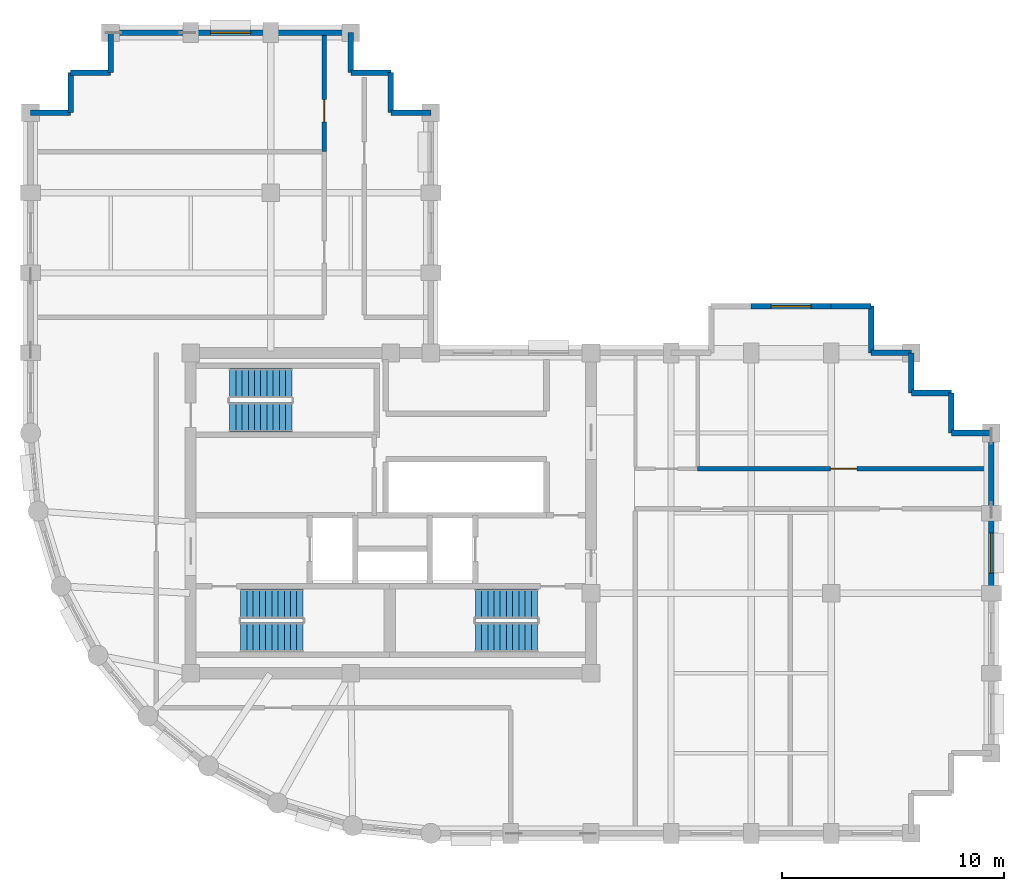
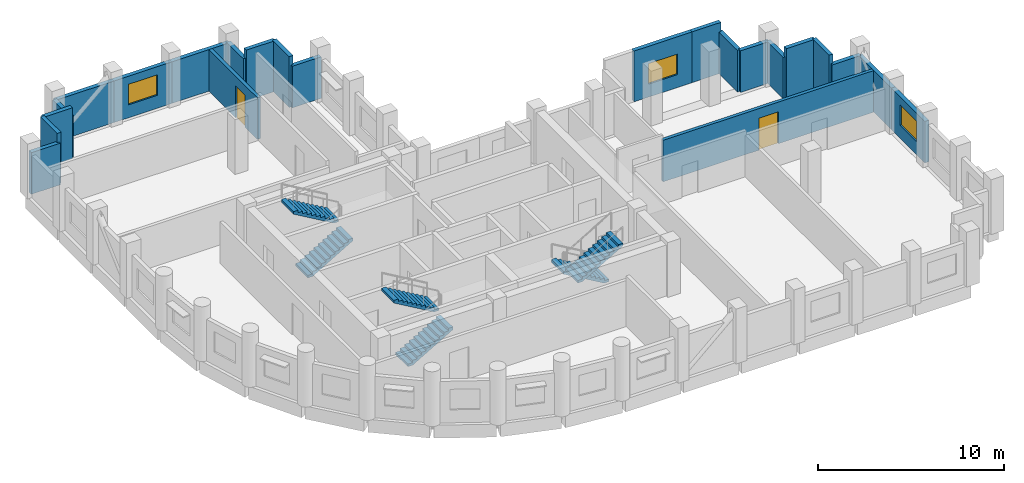
# One storey, part 5 of 7: 23 walls, 6 stair flights, 3 windows, 2 doors, 5 openings, 3 elements without a shape of their own.
"""IFC4 building model written with IfcOpenShell, lengths in metres."""

from ifc_helpers import new_model, si_unit, direction, frame, frame_2d, origin, place, context, subcontext, project, spatial, polyline, rectangle, outline, extrude, material, layer, layer_set, type_object, element, fill, aggregate, save


model = new_model("IFC4")

# Units and contexts
model_context = context("Model", 3, precision=1e-05, world=origin(), true_north=direction((0.0, 1.0)))
body_context = subcontext(model_context, "Body", "Model", "MODEL_VIEW")
ifc_project = project(units=[si_unit("LENGTHUNIT", "METRE"), si_unit("AREAUNIT", "SQUARE_METRE"), si_unit("VOLUMEUNIT", "CUBIC_METRE"), si_unit("PLANEANGLEUNIT", "RADIAN"), si_unit("MASSUNIT", "GRAM", prefix="KILO")], contexts=[model_context])

# Site, building, storey
site_placement = place(None, origin())
site = spatial("IfcSite", under=ifc_project, at=site_placement, CompositionType="ELEMENT")
building_placement = place(site_placement, origin())
building = spatial("IfcBuilding", under=site, at=building_placement, Name="Solnavia Interchange Tower", CompositionType="ELEMENT")
storey_placement = place(building_placement, frame((0.0, 0.0, 213.800048828125)))
storey = spatial("IfcBuildingStorey", under=building, at=storey_placement, Name="L53", CompositionType="ELEMENT", Elevation=213.800048828125)

# Wall, opening, window
ifc_material_1 = material(Name="Concrete C40/50", Category="concrete")
ifc_layer_1 = layer(ifc_material_1, 0.25)
ifc_layer_set_1 = layer_set([ifc_layer_1], Name="Concrete C40/50")
wall_type_1 = type_object("IfcWallType", Name="Wall-ExtSpandrel-250", PredefinedType="STANDARD", material=ifc_layer_set_1)
wall_1_placement = place(storey_placement, frame((50.39990234375, 18.0, 0.0), z_axis=(0.0, 0.0, 1.0), x_axis=(0.0, -1.0, 0.0)))
wall_1 = element("IfcWall", 1, at=wall_1_placement, inside=storey, type_object=wall_type_1, Name="EXW-L53-13 Exterior precast spandrel wall", PredefinedType="STANDARD", context=body_context, shape_type="SweptSolid", body=[
    extrude(rectangle(XDim=3.60009765625, YDim=0.25, at=frame_2d((1.800048828125, 0.0))), origin(), (0.0, 0.0, 1.0), 2.72998046875),
])
opening_1_placement = place(wall_1_placement, frame((0.89990234375, 0.0, 0.85009765625)))
opening_1 = element("IfcOpeningElement", 2, at=opening_1_placement, cuts=wall_1, Name="Opening WIN-02", PredefinedType="OPENING", context=body_context, shape_type="SweptSolid", body=[
    extrude(rectangle(XDim=1.800048828125, YDim=1.35009765625, at=frame_2d((0.89990234375, 0.675048828125))), frame((0.0, 0.135009765625, 0.0), z_axis=(0.0, -1.0, 0.0), x_axis=(1.0, 0.0, 0.0)), (0.0, 0.0, 1.0), 0.27001953125),
])
ifc_material_2 = material(Name="Thermal-Break Aluminium & Low-E Glass", Category="aluminium")
window_type = type_object("IfcWindowType", Name="Window-Ribbon-1800x1350", PartitioningType="SINGLE_PANEL", PredefinedType="WINDOW", material=ifc_material_2)
window_1_placement = place(opening_1_placement, origin())
window_1 = element("IfcWindow", 3, at=window_1_placement, inside=storey, type_object=window_type, Name="WIN-L53-13 Facade ribbon window", OverallHeight=1.35009765625, OverallWidth=1.800048828125, PartitioningType="SINGLE_PANEL", PredefinedType="WINDOW", context=body_context, shape_type="SweptSolid", body=[
    extrude(rectangle(XDim=1.800048828125, YDim=1.35009765625, at=frame_2d((0.89990234375, 0.675048828125))), frame((0.0, 0.030029296875, 0.0), z_axis=(0.0, -1.0, 0.0), x_axis=(1.0, 0.0, 0.0)), (0.0, 0.0, 1.0), 0.06005859375),
])
fill(opening_1, window_1)

# Walls
wall_2_placement = place(storey_placement, frame((50.39990234375, 21.60009765625, 0.0), z_axis=(0.0, 0.0, 1.0), x_axis=(0.0, -1.0, 0.0)))
element("IfcWall", 4, at=wall_2_placement, inside=storey, type_object=wall_type_1, Name="EXW-L53-14 Exterior precast spandrel wall", PredefinedType="STANDARD", context=body_context, shape_type="SweptSolid", body=[
    extrude(rectangle(XDim=3.60009765625, YDim=0.25, at=frame_2d((1.800048828125, 0.0))), origin(), (0.0, 0.0, 1.0), 2.72998046875),
])
wall_3_placement = place(storey_placement, frame((48.60009765625, 21.60009765625, 0.0), z_axis=(0.0, 0.0, 1.0), x_axis=(1.0, 0.0, 0.0)))
element("IfcWall", 5, at=wall_3_placement, inside=storey, type_object=wall_type_1, Name="EXW-L53-15 Exterior precast spandrel wall", PredefinedType="STANDARD", context=body_context, shape_type="SweptSolid", body=[
    extrude(rectangle(XDim=1.7998046875, YDim=0.25, at=frame_2d((0.89990234375, 0.0))), origin(), (0.0, 0.0, 1.0), 2.72998046875),
])
wall_4_placement = place(storey_placement, frame((48.60009765625, 23.39990234375, 0.0), z_axis=(0.0, 0.0, 1.0), x_axis=(0.0, -1.0, 0.0)))
element("IfcWall", 6, at=wall_4_placement, inside=storey, type_object=wall_type_1, Name="EXW-L53-16 Exterior precast spandrel wall", PredefinedType="STANDARD", context=body_context, shape_type="SweptSolid", body=[
    extrude(rectangle(XDim=1.7998046875, YDim=0.25, at=frame_2d((0.89990234375, 0.0))), origin(), (0.0, 0.0, 1.0), 3.3349609375),
])
wall_5_placement = place(storey_placement, frame((46.800048828125, 23.39990234375, 0.0), z_axis=(0.0, 0.0, 1.0), x_axis=(1.0, 0.0, 0.0)))
element("IfcWall", 7, at=wall_5_placement, inside=storey, type_object=wall_type_1, Name="EXW-L53-17 Exterior precast spandrel wall", PredefinedType="STANDARD", context=body_context, shape_type="SweptSolid", body=[
    extrude(rectangle(XDim=1.800048828125, YDim=0.25, at=frame_2d((0.89990234375, 0.0))), origin(), (0.0, 0.0, 1.0), 3.3349609375),
])
for number, where, z_axis, x_axis, name in (
    (8, (46.800048828125, 25.199951171875, 0.0), (0.0, 0.0, 1.0), (0.0, -1.0, 0.0), "EXW-L53-18 Exterior precast spandrel wall"),
    (9, (45.0, 25.199951171875, 0.0), (0.0, 0.0, 1.0), (1.0, 0.0, 0.0), "EXW-L53-19 Exterior precast spandrel wall"),
):
    element("IfcWall", number, at=place(storey_placement, frame(where, z_axis=z_axis, x_axis=x_axis)), inside=storey, type_object=wall_type_1, Name=name, PredefinedType="STANDARD", context=body_context, shape_type="SweptSolid", body=[
        extrude(rectangle(XDim=1.800048828125, YDim=0.25, at=frame_2d((0.89990234375, 0.0))), origin(), (0.0, 0.0, 1.0), 2.72998046875),
    ])
wall_6_placement = place(storey_placement, frame((45.0, 27.300048828125, 0.0), z_axis=(0.0, 0.0, 1.0), x_axis=(0.0, -1.0, 0.0)))
element("IfcWall", 10, at=wall_6_placement, inside=storey, type_object=wall_type_1, Name="EXW-L53-20 Exterior precast spandrel wall", PredefinedType="STANDARD", context=body_context, shape_type="SweptSolid", body=[
    extrude(rectangle(XDim=2.10009765625, YDim=0.25, at=frame_2d((1.050048828125, 0.0))), origin(), (0.0, 0.0, 1.0), 2.72998046875),
])
wall_7_placement = place(storey_placement, frame((43.199951171875, 27.300048828125, 0.0), z_axis=(0.0, 0.0, 1.0), x_axis=(1.0, 0.0, 0.0)))
element("IfcWall", 11, at=wall_7_placement, inside=storey, type_object=wall_type_1, Name="EXW-L53-21 Exterior precast spandrel wall", PredefinedType="STANDARD", context=body_context, shape_type="SweptSolid", body=[
    extrude(rectangle(XDim=1.800048828125, YDim=0.25, at=frame_2d((0.89990234375, 0.0))), origin(), (0.0, 0.0, 1.0), 3.3349609375),
])

# Wall, opening, window
wall_8_placement = place(storey_placement, frame((39.60009765625, 27.300048828125, 0.0), z_axis=(0.0, 0.0, 1.0), x_axis=(1.0, 0.0, 0.0)))
wall_8 = element("IfcWall", 12, at=wall_8_placement, inside=storey, type_object=wall_type_1, Name="EXW-L53-22 Exterior precast spandrel wall", PredefinedType="STANDARD", context=body_context, shape_type="SweptSolid", body=[
    extrude(rectangle(XDim=3.599853515625, YDim=0.25, at=frame_2d((1.7998046875, 0.0))), origin(), (0.0, 0.0, 1.0), 3.3349609375),
])
opening_2_placement = place(wall_8_placement, frame((0.89990234375, 0.0, 0.85009765625)))
opening_2 = element("IfcOpeningElement", 13, at=opening_2_placement, cuts=wall_8, Name="Opening WIN-02", PredefinedType="OPENING", context=body_context, shape_type="SweptSolid", body=[
    extrude(rectangle(XDim=1.800048828125, YDim=1.35009765625, at=frame_2d((0.89990234375, 0.675048828125))), frame((0.0, 0.135009765625, 0.0), z_axis=(0.0, -1.0, 0.0), x_axis=(1.0, 0.0, 0.0)), (0.0, 0.0, 1.0), 0.27001953125),
])
window_2_placement = place(opening_2_placement, origin())
window_2 = element("IfcWindow", 14, at=window_2_placement, inside=storey, type_object=window_type, Name="WIN-L53-22 Facade ribbon window", OverallHeight=1.35009765625, OverallWidth=1.800048828125, PartitioningType="SINGLE_PANEL", PredefinedType="WINDOW", context=body_context, shape_type="SweptSolid", body=[
    extrude(rectangle(XDim=1.800048828125, YDim=1.35009765625, at=frame_2d((0.89990234375, 0.675048828125))), frame((0.0, 0.030029296875, 0.0), z_axis=(0.0, -1.0, 0.0), x_axis=(1.0, 0.0, 0.0)), (0.0, 0.0, 1.0), 0.06005859375),
])
fill(opening_2, window_2)

# Walls
wall_9_placement = place(storey_placement, frame((23.39990234375, 36.0, 0.0), z_axis=(0.0, 0.0, 1.0), x_axis=(1.0, 0.0, 0.0)))
element("IfcWall", 15, at=wall_9_placement, inside=storey, type_object=wall_type_1, Name="EXW-L53-32 Exterior precast spandrel wall", PredefinedType="STANDARD", context=body_context, shape_type="SweptSolid", body=[
    extrude(rectangle(XDim=1.800048828125, YDim=0.25, at=frame_2d((0.89990234375, 0.0))), origin(), (0.0, 0.0, 1.0), 2.72998046875),
])
wall_10_placement = place(storey_placement, frame((23.39990234375, 36.0, 0.0), z_axis=(0.0, 0.0, 1.0), x_axis=(0.0, 1.0, 0.0)))
element("IfcWall", 16, at=wall_10_placement, inside=storey, type_object=wall_type_1, Name="EXW-L53-33 Exterior precast spandrel wall", PredefinedType="STANDARD", context=body_context, shape_type="SweptSolid", body=[
    extrude(rectangle(XDim=1.800048828125, YDim=0.25, at=frame_2d((0.89990234375, 0.0))), origin(), (0.0, 0.0, 1.0), 3.3349609375),
])
wall_11_placement = place(storey_placement, frame((21.60009765625, 37.800048828125, 0.0), z_axis=(0.0, 0.0, 1.0), x_axis=(1.0, 0.0, 0.0)))
element("IfcWall", 17, at=wall_11_placement, inside=storey, type_object=wall_type_1, Name="EXW-L53-34 Exterior precast spandrel wall", PredefinedType="STANDARD", context=body_context, shape_type="SweptSolid", body=[
    extrude(rectangle(XDim=1.7998046875, YDim=0.25, at=frame_2d((0.89990234375, 0.0))), origin(), (0.0, 0.0, 1.0), 3.3349609375),
])
wall_12_placement = place(storey_placement, frame((21.60009765625, 37.800048828125, 0.0), z_axis=(0.0, 0.0, 1.0), x_axis=(0.0, 1.0, 0.0)))
element("IfcWall", 18, at=wall_12_placement, inside=storey, type_object=wall_type_1, Name="EXW-L53-35 Exterior precast spandrel wall", PredefinedType="STANDARD", context=body_context, shape_type="SweptSolid", body=[
    extrude(rectangle(XDim=1.800048828125, YDim=0.25, at=frame_2d((0.89990234375, 0.0))), origin(), (0.0, 0.0, 1.0), 2.72998046875),
])
wall_13_placement = place(storey_placement, frame((18.0, 39.60009765625, 0.0), z_axis=(0.0, 0.0, 1.0), x_axis=(1.0, 0.0, 0.0)))
element("IfcWall", 19, at=wall_13_placement, inside=storey, type_object=wall_type_1, Name="EXW-L53-36 Exterior precast spandrel wall", PredefinedType="STANDARD", context=body_context, shape_type="SweptSolid", body=[
    extrude(rectangle(XDim=3.60009765625, YDim=0.25, at=frame_2d((1.800048828125, 0.0))), origin(), (0.0, 0.0, 1.0), 2.72998046875),
])

# Wall, opening, window
wall_14_placement = place(storey_placement, frame((14.39990234375, 39.60009765625, 0.0), z_axis=(0.0, 0.0, 1.0), x_axis=(1.0, 0.0, 0.0)))
wall_14 = element("IfcWall", 20, at=wall_14_placement, inside=storey, type_object=wall_type_1, Name="EXW-L53-37 Exterior precast spandrel wall", PredefinedType="STANDARD", context=body_context, shape_type="SweptSolid", body=[
    extrude(rectangle(XDim=3.60009765625, YDim=0.25, at=frame_2d((1.800048828125, 0.0))), origin(), (0.0, 0.0, 1.0), 2.72998046875),
])
opening_3_placement = place(wall_14_placement, frame((0.89990234375, 0.0, 0.85009765625)))
opening_3 = element("IfcOpeningElement", 21, at=opening_3_placement, cuts=wall_14, Name="Opening WIN-02", PredefinedType="OPENING", context=body_context, shape_type="SweptSolid", body=[
    extrude(rectangle(XDim=1.800048828125, YDim=1.35009765625, at=frame_2d((0.89990234375, 0.675048828125))), frame((0.0, 0.135009765625, 0.0), z_axis=(0.0, -1.0, 0.0), x_axis=(1.0, 0.0, 0.0)), (0.0, 0.0, 1.0), 0.27001953125),
])
window_3_placement = place(opening_3_placement, origin())
window_3 = element("IfcWindow", 22, at=window_3_placement, inside=storey, type_object=window_type, Name="WIN-L53-37 Facade ribbon window", OverallHeight=1.35009765625, OverallWidth=1.800048828125, PartitioningType="SINGLE_PANEL", PredefinedType="WINDOW", context=body_context, shape_type="SweptSolid", body=[
    extrude(rectangle(XDim=1.800048828125, YDim=1.35009765625, at=frame_2d((0.89990234375, 0.675048828125))), frame((0.0, 0.030029296875, 0.0), z_axis=(0.0, -1.0, 0.0), x_axis=(1.0, 0.0, 0.0)), (0.0, 0.0, 1.0), 0.06005859375),
])
fill(opening_3, window_3)

# Walls
wall_15_placement = place(storey_placement, frame((10.800048828125, 39.60009765625, 0.0), z_axis=(0.0, 0.0, 1.0), x_axis=(1.0, 0.0, 0.0)))
element("IfcWall", 23, at=wall_15_placement, inside=storey, type_object=wall_type_1, Name="EXW-L53-38 Exterior precast spandrel wall", PredefinedType="STANDARD", context=body_context, shape_type="SweptSolid", body=[
    extrude(rectangle(XDim=3.599853515625, YDim=0.25, at=frame_2d((1.7998046875, 0.0))), origin(), (0.0, 0.0, 1.0), 2.72998046875),
])
wall_16_placement = place(storey_placement, frame((10.800048828125, 37.800048828125, 0.0), z_axis=(0.0, 0.0, 1.0), x_axis=(0.0, 1.0, 0.0)))
element("IfcWall", 24, at=wall_16_placement, inside=storey, type_object=wall_type_1, Name="EXW-L53-39 Exterior precast spandrel wall", PredefinedType="STANDARD", context=body_context, shape_type="SweptSolid", body=[
    extrude(rectangle(XDim=1.800048828125, YDim=0.25, at=frame_2d((0.89990234375, 0.0))), origin(), (0.0, 0.0, 1.0), 2.72998046875),
])
for number, where, z_axis, x_axis, name in (
    (25, (9.0, 37.800048828125, 0.0), (0.0, 0.0, 1.0), (1.0, 0.0, 0.0), "EXW-L53-40 Exterior precast spandrel wall"),
    (26, (9.0, 36.0, 0.0), (0.0, 0.0, 1.0), (0.0, 1.0, 0.0), "EXW-L53-41 Exterior precast spandrel wall"),
):
    element("IfcWall", number, at=place(storey_placement, frame(where, z_axis=z_axis, x_axis=x_axis)), inside=storey, type_object=wall_type_1, Name=name, PredefinedType="STANDARD", context=body_context, shape_type="SweptSolid", body=[
        extrude(rectangle(XDim=1.800048828125, YDim=0.25, at=frame_2d((0.89990234375, 0.0))), origin(), (0.0, 0.0, 1.0), 3.3349609375),
    ])
wall_17_placement = place(storey_placement, frame((7.199951171875, 36.0, 0.0), z_axis=(0.0, 0.0, 1.0), x_axis=(1.0, 0.0, 0.0)))
element("IfcWall", 27, at=wall_17_placement, inside=storey, type_object=wall_type_1, Name="EXW-L53-42 Exterior precast spandrel wall", PredefinedType="STANDARD", context=body_context, shape_type="SweptSolid", body=[
    extrude(rectangle(XDim=1.800048828125, YDim=0.25, at=frame_2d((0.89990234375, 0.0))), origin(), (0.0, 0.0, 1.0), 2.72998046875),
])

# Wall, opening, door
ifc_layer_2 = layer(ifc_material_1, 0.199951171875)
ifc_layer_set_2 = layer_set([ifc_layer_2], Name="Concrete C40/50")
wall_type_2 = type_object("IfcWallType", Name="Wall-PlantFire-200", PredefinedType="PARTITIONING", material=ifc_layer_set_2)
wall_18_placement = place(storey_placement, frame((37.199951171875, 20.0, 0.0), z_axis=(0.0, 0.0, 1.0), x_axis=(1.0, 0.0, 0.0)))
wall_18 = element("IfcWall", 28, at=wall_18_placement, inside=storey, type_object=wall_type_2, Name="PTW-L53-10 Interior partition wall", PredefinedType="PARTITIONING", context=body_context, shape_type="SweptSolid", body=[
    extrude(rectangle(XDim=13.071044921875, YDim=0.199951171875, at=frame_2d((6.53564453125, 0.0))), origin(), (0.0, 0.0, 1.0), 2.72998046875),
])
opening_4_placement = place(wall_18_placement, frame((5.9599609375, 0.0, 0.0)))
opening_4 = element("IfcOpeningElement", 29, at=opening_4_placement, cuts=wall_18, Name="Opening DR-02", PredefinedType="OPENING", context=body_context, shape_type="SweptSolid", body=[
    extrude(rectangle(XDim=1.199951171875, YDim=2.10009765625, at=frame_2d((0.60009765625, 1.050048828125))), frame((0.0, 0.10986328125, 0.0), z_axis=(0.0, -1.0, 0.0), x_axis=(1.0, 0.0, 0.0)), (0.0, 0.0, 1.0), 0.219970703125),
])
ifc_material_3 = material(Name="Steel Fire-Rated Vision-Panel Door", Category="steel")
door_type_1 = type_object("IfcDoorType", Name="Door-LobbyFire-1200x2100", OperationType="SINGLE_SWING_RIGHT", PredefinedType="DOOR", material=ifc_material_3)
door_1_placement = place(opening_4_placement, origin())
door_1 = element("IfcDoor", 30, at=door_1_placement, inside=storey, type_object=door_type_1, Name="DR-L53-06 Interior room door", OperationType="SINGLE_SWING_RIGHT", OverallHeight=2.10009765625, OverallWidth=1.199951171875, PredefinedType="DOOR", context=body_context, shape_type="SweptSolid", body=[
    extrude(rectangle(XDim=1.199951171875, YDim=2.10009765625, at=frame_2d((0.60009765625, 1.050048828125))), frame((0.0, 0.02490234375, 0.0), z_axis=(0.0, -1.0, 0.0), x_axis=(1.0, 0.0, 0.0)), (0.0, 0.0, 1.0), 0.050048828125),
])
fill(opening_4, door_1)

wall_19_placement = place(storey_placement, frame((20.39990234375, 34.25, 0.0), z_axis=(0.0, 0.0, 1.0), x_axis=(0.0, 1.0, 0.0)))
wall_19 = element("IfcWall", 31, at=wall_19_placement, inside=storey, type_object=wall_type_2, Name="PTW-L53-16 Interior partition wall", PredefinedType="PARTITIONING", context=body_context, shape_type="SweptSolid", body=[
    extrude(rectangle(XDim=5.220947265625, YDim=0.199951171875, at=frame_2d((2.6103515625, 0.0))), origin(), (0.0, 0.0, 1.0), 2.72998046875),
])
opening_5_placement = place(wall_19_placement, frame((1.3369140625, 0.0, 0.0)))
opening_5 = element("IfcOpeningElement", 32, at=opening_5_placement, cuts=wall_19, Name="Opening DR-04", PredefinedType="OPENING", context=body_context, shape_type="SweptSolid", body=[
    extrude(rectangle(XDim=1.0, YDim=2.10009765625, at=frame_2d((0.5, 1.050048828125))), frame((0.0, 0.10986328125, 0.0), z_axis=(0.0, -1.0, 0.0), x_axis=(1.0, 0.0, 0.0)), (0.0, 0.0, 1.0), 0.219970703125),
])
ifc_material_4 = material(Name="Steel Fire-Rated Plant Door", Category="steel")
door_type_2 = type_object("IfcDoorType", Name="Door-PlantFire-1000x2100", OperationType="SINGLE_SWING_LEFT", PredefinedType="DOOR", material=ifc_material_4)
door_2_placement = place(opening_5_placement, origin())
door_2 = element("IfcDoor", 33, at=door_2_placement, inside=storey, type_object=door_type_2, Name="DR-L53-08 Interior room door", OperationType="SINGLE_SWING_RIGHT", OverallHeight=2.10009765625, OverallWidth=1.0, PredefinedType="DOOR", context=body_context, shape_type="SweptSolid", body=[
    extrude(rectangle(XDim=1.0, YDim=2.10009765625, at=frame_2d((0.5, 1.050048828125))), frame((0.0, 0.02490234375, 0.0), z_axis=(0.0, -1.0, 0.0), x_axis=(1.0, 0.0, 0.0)), (0.0, 0.0, 1.0), 0.050048828125),
])
fill(opening_5, door_2)

# Stair, stair flights
stair_type = type_object("IfcStairType", Name="Stair-Dogleg-RC", PredefinedType="HALF_TURN_STAIR", material=ifc_material_1)
stair_1_placement = place(storey_placement, origin())
stair_1 = element("IfcStair", 34, at=stair_1_placement, inside=storey, type_object=stair_type, Name="L53 Core exit stair 1", PredefinedType="HALF_TURN_STAIR")
stair_flight_type = type_object("IfcStairFlightType", Name="StairFlight-RC-150", PredefinedType="STRAIGHT", material=ifc_material_1)
stair_flight_1_placement = place(storey_placement, frame((16.64990234375, 12.409912109375, 0.0), z_axis=(0.0, 0.0, 1.0), x_axis=(1.0, 0.0, 0.0)))
stair_flight_1 = element("IfcStairFlight", 35, at=stair_flight_1_placement, type_object=stair_flight_type, Name="ST-1 flight 1", NumberOfRisers=11, NumberOfTreads=10, PredefinedType="STRAIGHT", RiserHeight=0.163636364, TreadLength=0.28, context=body_context, shape_type="SweptSolid", body=[
    extrude(outline(polyline([(0.0, 0.0), (0.0, 0.16357421875), (0.280029296875, 0.16357421875), (0.280029296875, 0.327392578125), (0.56005859375, 0.327392578125), (0.56005859375, 0.490966796875), (0.840087890625, 0.490966796875), (0.840087890625, 0.654541015625), (1.1201171875, 0.654541015625), (1.1201171875, 0.818115234375), (1.39990234375, 0.818115234375), (1.39990234375, 0.98193359375), (1.679931640625, 0.98193359375), (1.679931640625, 1.1455078125), (1.9599609375, 1.1455078125), (1.9599609375, 1.30908203125), (2.239990234375, 1.30908203125), (2.239990234375, 1.47265625), (2.52001953125, 1.47265625), (2.52001953125, 1.636474609375), (2.800048828125, 1.636474609375), (2.800048828125, 1.800048828125), (2.800048828125, 1.462646484375), (0.297119140625, 0.0), (0.0, 0.0)])), frame((0.0, 0.66015625, 0.0), z_axis=(0.0, -1.0, 0.0), x_axis=(1.0, 0.0, 0.0)), (0.0, 0.0, 1.0), 1.320068359375),
])
stair_flight_2_placement = place(storey_placement, frame((19.449951171875, 13.929931640625, 1.800048828125), z_axis=(0.0, 0.0, 1.0), x_axis=(-1.0, 0.0, 0.0)))
stair_flight_2 = element("IfcStairFlight", 36, at=stair_flight_2_placement, type_object=stair_flight_type, Name="ST-1 flight 2", NumberOfRisers=11, NumberOfTreads=10, PredefinedType="STRAIGHT", RiserHeight=0.163636364, TreadLength=0.28, context=body_context, shape_type="SweptSolid", body=[
    extrude(outline(polyline([(0.0, 0.0), (0.0, 0.16357421875), (0.280029296875, 0.16357421875), (0.280029296875, 0.327392578125), (0.56005859375, 0.327392578125), (0.56005859375, 0.490966796875), (0.840087890625, 0.490966796875), (0.840087890625, 0.654541015625), (1.1201171875, 0.654541015625), (1.1201171875, 0.818115234375), (1.39990234375, 0.818115234375), (1.39990234375, 0.98193359375), (1.679931640625, 0.98193359375), (1.679931640625, 1.1455078125), (1.9599609375, 1.1455078125), (1.9599609375, 1.30908203125), (2.239990234375, 1.30908203125), (2.239990234375, 1.47265625), (2.52001953125, 1.47265625), (2.52001953125, 1.636474609375), (2.800048828125, 1.636474609375), (2.800048828125, 1.800048828125), (2.800048828125, 1.462646484375), (0.297119140625, 0.0), (0.0, 0.0)])), frame((0.0, 0.66015625, 0.0), z_axis=(0.0, -1.0, 0.0), x_axis=(1.0, 0.0, 0.0)), (0.0, 0.0, 1.0), 1.320068359375),
])
aggregate(stair_1, [stair_flight_1, stair_flight_2])

stair_2_placement = place(storey_placement, origin())
stair_2 = element("IfcStair", 37, at=stair_2_placement, inside=storey, type_object=stair_type, Name="L53 Core exit stair 2", PredefinedType="HALF_TURN_STAIR")
stair_flight_3_placement = place(storey_placement, frame((30.0, 13.929931640625, 0.0), z_axis=(0.0, 0.0, 1.0), x_axis=(-1.0, 0.0, 0.0)))
stair_flight_3 = element("IfcStairFlight", 38, at=stair_flight_3_placement, type_object=stair_flight_type, Name="ST-2 flight 1", NumberOfRisers=11, NumberOfTreads=10, PredefinedType="STRAIGHT", RiserHeight=0.163636364, TreadLength=0.28, context=body_context, shape_type="SweptSolid", body=[
    extrude(outline(polyline([(0.0, 0.0), (0.0, 0.16357421875), (0.280029296875, 0.16357421875), (0.280029296875, 0.327392578125), (0.56005859375, 0.327392578125), (0.56005859375, 0.490966796875), (0.840087890625, 0.490966796875), (0.840087890625, 0.654541015625), (1.1201171875, 0.654541015625), (1.1201171875, 0.818115234375), (1.39990234375, 0.818115234375), (1.39990234375, 0.98193359375), (1.679931640625, 0.98193359375), (1.679931640625, 1.1455078125), (1.9599609375, 1.1455078125), (1.9599609375, 1.30908203125), (2.239990234375, 1.30908203125), (2.239990234375, 1.47265625), (2.52001953125, 1.47265625), (2.52001953125, 1.636474609375), (2.800048828125, 1.636474609375), (2.800048828125, 1.800048828125), (2.800048828125, 1.462646484375), (0.297119140625, 0.0), (0.0, 0.0)])), frame((0.0, 0.66015625, 0.0), z_axis=(0.0, -1.0, 0.0), x_axis=(1.0, 0.0, 0.0)), (0.0, 0.0, 1.0), 1.320068359375),
])
stair_flight_4_placement = place(storey_placement, frame((27.199951171875, 12.409912109375, 1.800048828125), z_axis=(0.0, 0.0, 1.0), x_axis=(1.0, 0.0, 0.0)))
stair_flight_4 = element("IfcStairFlight", 39, at=stair_flight_4_placement, type_object=stair_flight_type, Name="ST-2 flight 2", NumberOfRisers=11, NumberOfTreads=10, PredefinedType="STRAIGHT", RiserHeight=0.163636364, TreadLength=0.28, context=body_context, shape_type="SweptSolid", body=[
    extrude(outline(polyline([(0.0, 0.0), (0.0, 0.16357421875), (0.280029296875, 0.16357421875), (0.280029296875, 0.327392578125), (0.56005859375, 0.327392578125), (0.56005859375, 0.490966796875), (0.840087890625, 0.490966796875), (0.840087890625, 0.654541015625), (1.1201171875, 0.654541015625), (1.1201171875, 0.818115234375), (1.39990234375, 0.818115234375), (1.39990234375, 0.98193359375), (1.679931640625, 0.98193359375), (1.679931640625, 1.1455078125), (1.9599609375, 1.1455078125), (1.9599609375, 1.30908203125), (2.239990234375, 1.30908203125), (2.239990234375, 1.47265625), (2.52001953125, 1.47265625), (2.52001953125, 1.636474609375), (2.800048828125, 1.636474609375), (2.800048828125, 1.800048828125), (2.800048828125, 1.462646484375), (0.297119140625, 0.0), (0.0, 0.0)])), frame((0.0, 0.66015625, 0.0), z_axis=(0.0, -1.0, 0.0), x_axis=(1.0, 0.0, 0.0)), (0.0, 0.0, 1.0), 1.320068359375),
])
aggregate(stair_2, [stair_flight_3, stair_flight_4])

stair_3_placement = place(storey_placement, origin())
stair_3 = element("IfcStair", 40, at=stair_3_placement, inside=storey, type_object=stair_type, Name="L53 Core exit stair 3", PredefinedType="HALF_TURN_STAIR")
stair_flight_5_placement = place(storey_placement, frame((16.14990234375, 22.31005859375, 0.0), z_axis=(0.0, 0.0, 1.0), x_axis=(1.0, 0.0, 0.0)))
stair_flight_5 = element("IfcStairFlight", 41, at=stair_flight_5_placement, type_object=stair_flight_type, Name="ST-3 flight 1", NumberOfRisers=11, NumberOfTreads=10, PredefinedType="STRAIGHT", RiserHeight=0.163636364, TreadLength=0.28, context=body_context, shape_type="SweptSolid", body=[
    extrude(outline(polyline([(0.0, 0.0), (0.0, 0.16357421875), (0.280029296875, 0.16357421875), (0.280029296875, 0.327392578125), (0.56005859375, 0.327392578125), (0.56005859375, 0.490966796875), (0.840087890625, 0.490966796875), (0.840087890625, 0.654541015625), (1.1201171875, 0.654541015625), (1.1201171875, 0.818115234375), (1.39990234375, 0.818115234375), (1.39990234375, 0.98193359375), (1.679931640625, 0.98193359375), (1.679931640625, 1.1455078125), (1.9599609375, 1.1455078125), (1.9599609375, 1.30908203125), (2.239990234375, 1.30908203125), (2.239990234375, 1.47265625), (2.52001953125, 1.47265625), (2.52001953125, 1.636474609375), (2.800048828125, 1.636474609375), (2.800048828125, 1.800048828125), (2.800048828125, 1.462646484375), (0.297119140625, 0.0), (0.0, 0.0)])), frame((0.0, 0.66015625, 0.0), z_axis=(0.0, -1.0, 0.0), x_axis=(1.0, 0.0, 0.0)), (0.0, 0.0, 1.0), 1.320068359375),
])
stair_flight_6_placement = place(storey_placement, frame((18.949951171875, 23.830078125, 1.800048828125), z_axis=(0.0, 0.0, 1.0), x_axis=(-1.0, 0.0, 0.0)))
stair_flight_6 = element("IfcStairFlight", 42, at=stair_flight_6_placement, type_object=stair_flight_type, Name="ST-3 flight 2", NumberOfRisers=11, NumberOfTreads=10, PredefinedType="STRAIGHT", RiserHeight=0.163636364, TreadLength=0.28, context=body_context, shape_type="SweptSolid", body=[
    extrude(outline(polyline([(0.0, 0.0), (0.0, 0.16357421875), (0.280029296875, 0.16357421875), (0.280029296875, 0.327392578125), (0.56005859375, 0.327392578125), (0.56005859375, 0.490966796875), (0.840087890625, 0.490966796875), (0.840087890625, 0.654541015625), (1.1201171875, 0.654541015625), (1.1201171875, 0.818115234375), (1.39990234375, 0.818115234375), (1.39990234375, 0.98193359375), (1.679931640625, 0.98193359375), (1.679931640625, 1.1455078125), (1.9599609375, 1.1455078125), (1.9599609375, 1.30908203125), (2.239990234375, 1.30908203125), (2.239990234375, 1.47265625), (2.52001953125, 1.47265625), (2.52001953125, 1.636474609375), (2.800048828125, 1.636474609375), (2.800048828125, 1.800048828125), (2.800048828125, 1.462646484375), (0.297119140625, 0.0), (0.0, 0.0)])), frame((0.0, 0.66015625, 0.0), z_axis=(0.0, -1.0, 0.0), x_axis=(1.0, 0.0, 0.0)), (0.0, 0.0, 1.0), 1.320068359375),
])
aggregate(stair_3, [stair_flight_5, stair_flight_6])

save(model, "model.ifc")
